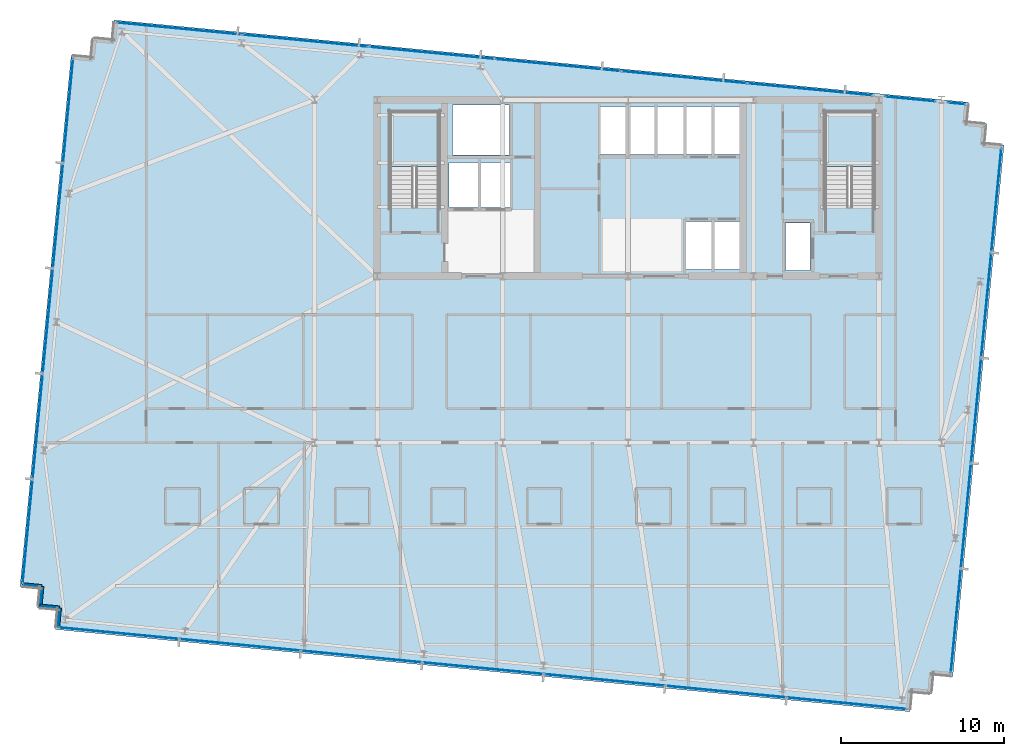
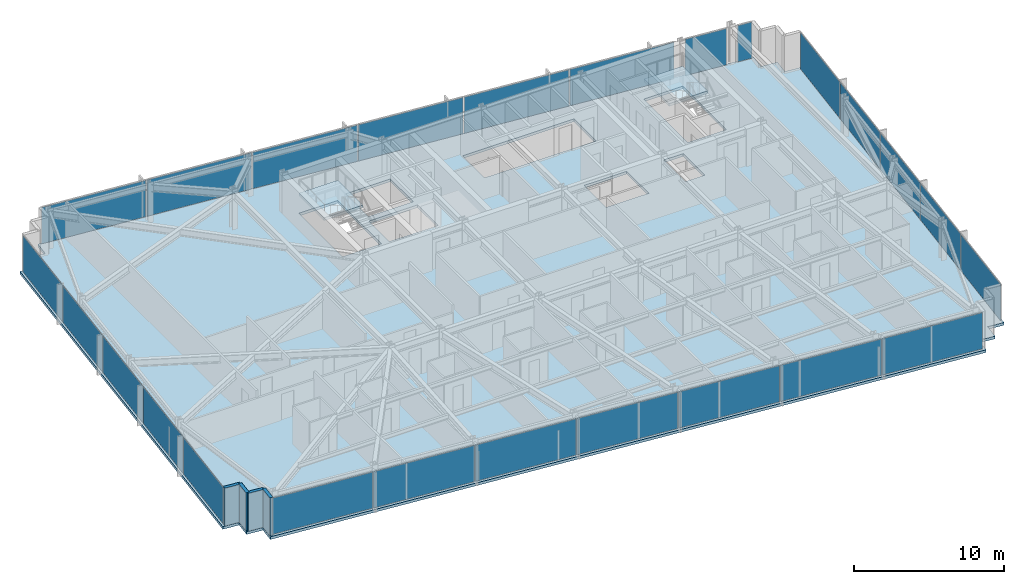
# One storey, part 28 of 38: 25 plates, 4 walls, 3 slabs, 8 elements without a shape of their own.
"""IFC4 building model written with IfcOpenShell, lengths in metres."""

from ifc_helpers import new_model, si_unit, direction, frame, frame_2d, origin, origin_2d, place, context, subcontext, project, spatial, polyline, rectangle, outline, extrude, material, layer, layer_set, type_object, element, aggregate, save


model = new_model("IFC4")

# Units and contexts
model_context = context("Model", 3, precision=1e-05, world=origin(), true_north=direction((0.0, 1.0)))
body_context = subcontext(model_context, "Body", "Model", "MODEL_VIEW")
ifc_project = project(units=[si_unit("LENGTHUNIT", "METRE"), si_unit("AREAUNIT", "SQUARE_METRE"), si_unit("VOLUMEUNIT", "CUBIC_METRE"), si_unit("PLANEANGLEUNIT", "RADIAN"), si_unit("MASSUNIT", "GRAM", prefix="KILO")], contexts=[model_context])

# Site, building, storey
site_placement = place(None, origin())
site = spatial("IfcSite", under=ifc_project, at=site_placement, CompositionType="ELEMENT")
building_placement = place(site_placement, origin())
building = spatial("IfcBuilding", under=site, at=building_placement, Name="Yelkora Congress Tower", CompositionType="ELEMENT")
storey_placement = place(building_placement, frame((0.0, 0.0, 155.60009765625)))
storey = spatial("IfcBuildingStorey", under=building, at=storey_placement, Name="L42", CompositionType="ELEMENT", Elevation=155.60009765625)

# Curtain wall, plates
ifc_material_1 = material(Name="Anodised aluminium and insulated glass", Category="aluminium")
curtain_wall_type = type_object("IfcCurtainWallType", Name="CW-SYS-B3", PredefinedType="NOTDEFINED", material=ifc_material_1)
curtain_wall_1_placement = place(storey_placement, origin())
curtain_wall_1 = element("IfcCurtainWall", 1, at=curtain_wall_1_placement, inside=storey, type_object=curtain_wall_type, Name="L42 Unitised Curtain Wall 5", PredefinedType="NOTDEFINED")
ifc_material_2 = material(Name="Acoustic laminated hotel glass unit B3", Category="glass")
ifc_layer_1 = layer(ifc_material_2, 0.0419921875)
ifc_layer_set_1 = layer_set([ifc_layer_1], Name="Acoustic laminated hotel glass unit B3")
plate_type = type_object("IfcPlateType", Name="PLT-PN-B3", PredefinedType="CURTAIN_PANEL", material=ifc_layer_set_1)
plate_1_placement = place(storey_placement, frame((1.61572265625, 19.75244140625, 0.059814453125), z_axis=(0.0, 0.0, 1.0), x_axis=(0.095845294465, 0.995396242473, 0.0)))
plate_1 = element("IfcPlate", 2, at=plate_1_placement, type_object=plate_type, Name="CW-B3 panel 1.1", PredefinedType="CURTAIN_PANEL", context=body_context, shape_type="SweptSolid", body=[
    extrude(rectangle(XDim=6.37890625, YDim=0.0419921875, at=origin_2d()), origin(), (0.0, 0.0, 1.0), 2.9599609375),
])
plate_2_placement = place(storey_placement, frame((2.235595703125, 26.189208984375, 0.059814453125), z_axis=(0.0, 0.0, 1.0), x_axis=(0.095845294465, 0.995396242473, 0.0)))
plate_2 = element("IfcPlate", 3, at=plate_2_placement, type_object=plate_type, Name="CW-B3 panel 2.1", PredefinedType="CURTAIN_PANEL", context=body_context, shape_type="SweptSolid", body=[
    extrude(rectangle(XDim=6.4140625, YDim=0.0419921875, at=origin_2d()), origin(), (0.0, 0.0, 1.0), 2.9599609375),
])
plate_3_placement = place(storey_placement, frame((2.85693359375, 32.643310546875, 0.059814453125), z_axis=(0.0, 0.0, 1.0), x_axis=(0.095845294465, 0.995396242473, 0.0)))
plate_3 = element("IfcPlate", 4, at=plate_3_placement, type_object=plate_type, Name="CW-B3 panel 3.1", PredefinedType="CURTAIN_PANEL", context=body_context, shape_type="SweptSolid", body=[
    extrude(rectangle(XDim=6.4140625, YDim=0.0419921875, at=origin_2d()), origin(), (0.0, 0.0, 1.0), 2.9599609375),
])
plate_4_placement = place(storey_placement, frame((3.478515625, 39.097412109375, 0.059814453125), z_axis=(0.0, 0.0, 1.0), x_axis=(0.095845294465, 0.995396242473, 0.0)))
plate_4 = element("IfcPlate", 5, at=plate_4_placement, type_object=plate_type, Name="CW-B3 panel 4.1", PredefinedType="CURTAIN_PANEL", context=body_context, shape_type="SweptSolid", body=[
    extrude(rectangle(XDim=6.4140625, YDim=0.0419921875, at=origin_2d()), origin(), (0.0, 0.0, 1.0), 2.9599609375),
])
plate_5_placement = place(storey_placement, frame((4.09814453125, 45.5341796875, 0.059814453125), z_axis=(0.0, 0.0, 1.0), x_axis=(0.095845294465, 0.995396242473, 0.0)))
plate_5 = element("IfcPlate", 6, at=plate_5_placement, type_object=plate_type, Name="CW-B3 panel 5.1", PredefinedType="CURTAIN_PANEL", context=body_context, shape_type="SweptSolid", body=[
    extrude(rectangle(XDim=6.37890625, YDim=0.0419921875, at=origin_2d()), origin(), (0.0, 0.0, 1.0), 2.9599609375),
])
aggregate(curtain_wall_1, [plate_1, plate_2, plate_3, plate_4, plate_5])

curtain_wall_2_placement = place(storey_placement, origin())
curtain_wall_2 = element("IfcCurtainWall", 7, at=curtain_wall_2_placement, inside=storey, type_object=curtain_wall_type, Name="L42 Unitised Curtain Wall 10 (1)", PredefinedType="NOTDEFINED")
plate_6_placement = place(storey_placement, frame((10.913818359375, 50.5634765625, 0.059814453125), z_axis=(0.0, 0.0, 1.0), x_axis=(0.995396293823, -0.095844761168, 0.0)))
plate_6 = element("IfcPlate", 8, at=plate_6_placement, type_object=plate_type, Name="CW-B3 panel 1.1", PredefinedType="CURTAIN_PANEL", context=body_context, shape_type="SweptSolid", body=[
    extrude(rectangle(XDim=7.664306640625, YDim=0.0419921875, at=origin_2d()), origin(), (0.0, 0.0, 1.0), 2.9599609375),
])
plate_7_placement = place(storey_placement, frame((18.6298828125, 49.820556640625, 0.059814453125), z_axis=(0.0, 0.0, 1.0), x_axis=(0.995396293823, -0.095844761168, 0.0)))
plate_7 = element("IfcPlate", 9, at=plate_7_placement, type_object=plate_type, Name="CW-B3 panel 2.1", PredefinedType="CURTAIN_PANEL", context=body_context, shape_type="SweptSolid", body=[
    extrude(rectangle(XDim=7.69921875, YDim=0.0419921875, at=origin_2d()), origin(), (0.0, 0.0, 1.0), 2.9599609375),
])
plate_8_placement = place(storey_placement, frame((26.363525390625, 49.075927734375, 0.059814453125), z_axis=(0.0, 0.0, 1.0), x_axis=(0.995396293823, -0.095844761168, 0.0)))
plate_8 = element("IfcPlate", 10, at=plate_8_placement, type_object=plate_type, Name="CW-B3 panel 3.1", PredefinedType="CURTAIN_PANEL", context=body_context, shape_type="SweptSolid", body=[
    extrude(rectangle(XDim=7.69921875, YDim=0.0419921875, at=origin_2d()), origin(), (0.0, 0.0, 1.0), 2.9599609375),
])
plate_9_placement = place(storey_placement, frame((34.09716796875, 48.331298828125, 0.059814453125), z_axis=(0.0, 0.0, 1.0), x_axis=(0.995396293823, -0.095844761168, 0.0)))
plate_9 = element("IfcPlate", 11, at=plate_9_placement, type_object=plate_type, Name="CW-B3 panel 4.1", PredefinedType="CURTAIN_PANEL", context=body_context, shape_type="SweptSolid", body=[
    extrude(rectangle(XDim=7.69921875, YDim=0.0419921875, at=origin_2d()), origin(), (0.0, 0.0, 1.0), 2.9599609375),
])
plate_10_placement = place(storey_placement, frame((41.83056640625, 47.586669921875, 0.059814453125), z_axis=(0.0, 0.0, 1.0), x_axis=(0.995396293823, -0.095844761168, 0.0)))
plate_10 = element("IfcPlate", 12, at=plate_10_placement, type_object=plate_type, Name="CW-B3 panel 5.1", PredefinedType="CURTAIN_PANEL", context=body_context, shape_type="SweptSolid", body=[
    extrude(rectangle(XDim=7.69921875, YDim=0.0419921875, at=origin_2d()), origin(), (0.0, 0.0, 1.0), 2.9599609375),
])
plate_11_placement = place(storey_placement, frame((49.546875, 46.84375, 0.059814453125), z_axis=(0.0, 0.0, 1.0), x_axis=(0.995396293823, -0.095844761168, 0.0)))
plate_11 = element("IfcPlate", 13, at=plate_11_placement, type_object=plate_type, Name="CW-B3 panel 6.1", PredefinedType="CURTAIN_PANEL", context=body_context, shape_type="SweptSolid", body=[
    extrude(rectangle(XDim=7.664306640625, YDim=0.0419921875, at=origin_2d()), origin(), (0.0, 0.0, 1.0), 2.9599609375),
])
aggregate(curtain_wall_2, [plate_6, plate_7, plate_8, plate_9, plate_10, plate_11])

# Curtain wall, plate
curtain_wall_3_placement = place(storey_placement, origin())
curtain_wall_3 = element("IfcCurtainWall", 14, at=curtain_wall_3_placement, inside=storey, type_object=curtain_wall_type, Name="L42 Unitised Curtain Wall 10 (2)", PredefinedType="NOTDEFINED")
plate_12_placement = place(storey_placement, frame((55.679931640625, 46.253173828125, 0.059814453125), z_axis=(0.0, 0.0, 1.0), x_axis=(0.995395952188, -0.095848309157, 0.0)))
plate_12 = element("IfcPlate", 15, at=plate_12_placement, type_object=plate_type, Name="CW-B3 panel 1.1", PredefinedType="CURTAIN_PANEL", context=body_context, shape_type="SweptSolid", body=[
    extrude(rectangle(XDim=3.056640625, YDim=0.0419921875, at=origin_2d()), origin(), (0.0, 0.0, 1.0), 2.9599609375),
])
aggregate(curtain_wall_3, [plate_12])

curtain_wall_4_placement = place(storey_placement, origin())
curtain_wall_4 = element("IfcCurtainWall", 16, at=curtain_wall_4_placement, inside=storey, type_object=curtain_wall_type, Name="L42 Unitised Curtain Wall 10 (3)", PredefinedType="NOTDEFINED")
plate_13_placement = place(storey_placement, frame((58.518798828125, 45.979736328125, 0.059814453125), z_axis=(0.0, 0.0, 1.0), x_axis=(0.995395569658, -0.095852281686, 0.0)))
plate_13 = element("IfcPlate", 17, at=plate_13_placement, type_object=plate_type, Name="CW-B3 panel 1.1", PredefinedType="CURTAIN_PANEL", context=body_context, shape_type="SweptSolid", body=[
    extrude(rectangle(XDim=1.045166015625, YDim=0.0419921875, at=origin_2d()), origin(), (0.0, 0.0, 1.0), 2.9599609375),
])
aggregate(curtain_wall_4, [plate_13])

# Curtain wall, plates
curtain_wall_5_placement = place(storey_placement, origin())
curtain_wall_5 = element("IfcCurtainWall", 18, at=curtain_wall_5_placement, inside=storey, type_object=curtain_wall_type, Name="L42 Unitised Curtain Wall 15", PredefinedType="NOTDEFINED")
plate_14_placement = place(storey_placement, frame((60.955322265625, 40.0595703125, 0.059814453125), z_axis=(0.0, 0.0, 1.0), x_axis=(-0.095841944023, -0.995396565076, 0.0)))
plate_14 = element("IfcPlate", 19, at=plate_14_placement, type_object=plate_type, Name="CW-B3 panel 1.1", PredefinedType="CURTAIN_PANEL", context=body_context, shape_type="SweptSolid", body=[
    extrude(rectangle(XDim=6.37890625, YDim=0.0419921875, at=origin_2d()), origin(), (0.0, 0.0, 1.0), 2.9599609375),
])
plate_15_placement = place(storey_placement, frame((60.33544921875, 33.622802734375, 0.059814453125), z_axis=(0.0, 0.0, 1.0), x_axis=(-0.095841944023, -0.995396565076, 0.0)))
plate_15 = element("IfcPlate", 20, at=plate_15_placement, type_object=plate_type, Name="CW-B3 panel 2.1", PredefinedType="CURTAIN_PANEL", context=body_context, shape_type="SweptSolid", body=[
    extrude(rectangle(XDim=6.4140625, YDim=0.0419921875, at=origin_2d()), origin(), (0.0, 0.0, 1.0), 2.9599609375),
])
plate_16_placement = place(storey_placement, frame((59.714111328125, 27.168701171875, 0.059814453125), z_axis=(0.0, 0.0, 1.0), x_axis=(-0.095841944023, -0.995396565076, 0.0)))
plate_16 = element("IfcPlate", 21, at=plate_16_placement, type_object=plate_type, Name="CW-B3 panel 3.1", PredefinedType="CURTAIN_PANEL", context=body_context, shape_type="SweptSolid", body=[
    extrude(rectangle(XDim=6.4140625, YDim=0.0419921875, at=origin_2d()), origin(), (0.0, 0.0, 1.0), 2.9599609375),
])
plate_17_placement = place(storey_placement, frame((59.092529296875, 20.71435546875, 0.059814453125), z_axis=(0.0, 0.0, 1.0), x_axis=(-0.095841944023, -0.995396565076, 0.0)))
plate_17 = element("IfcPlate", 22, at=plate_17_placement, type_object=plate_type, Name="CW-B3 panel 4.1", PredefinedType="CURTAIN_PANEL", context=body_context, shape_type="SweptSolid", body=[
    extrude(rectangle(XDim=6.4140625, YDim=0.0419921875, at=origin_2d()), origin(), (0.0, 0.0, 1.0), 2.9599609375),
])
plate_18_placement = place(storey_placement, frame((58.472900390625, 14.277587890625, 0.059814453125), z_axis=(0.0, 0.0, 1.0), x_axis=(-0.095841944023, -0.995396565076, 0.0)))
plate_18 = element("IfcPlate", 23, at=plate_18_placement, type_object=plate_type, Name="CW-B3 panel 5.1", PredefinedType="CURTAIN_PANEL", context=body_context, shape_type="SweptSolid", body=[
    extrude(rectangle(XDim=6.37890625, YDim=0.0419921875, at=origin_2d()), origin(), (0.0, 0.0, 1.0), 2.9599609375),
])
aggregate(curtain_wall_5, [plate_14, plate_15, plate_16, plate_17, plate_18])

curtain_wall_6_placement = place(storey_placement, origin())
curtain_wall_6 = element("IfcCurtainWall", 24, at=curtain_wall_6_placement, inside=storey, type_object=curtain_wall_type, Name="L42 Unitised Curtain Wall 20", PredefinedType="NOTDEFINED")
plate_19_placement = place(storey_placement, frame((51.803955078125, 9.234130859375, 0.059814453125), z_axis=(0.0, 0.0, 1.0), x_axis=(-0.995396301573, 0.095844680679, 0.0)))
plate_19 = element("IfcPlate", 25, at=plate_19_placement, type_object=plate_type, Name="CW-B3 panel 1.1", PredefinedType="CURTAIN_PANEL", context=body_context, shape_type="SweptSolid", body=[
    extrude(rectangle(XDim=7.369384765625, YDim=0.0419921875, at=origin_2d()), origin(), (0.0, 0.0, 1.0), 2.9599609375),
])
plate_20_placement = place(storey_placement, frame((44.381591796875, 9.948974609375, 0.059814453125), z_axis=(0.0, 0.0, 1.0), x_axis=(-0.995396301573, 0.095844680679, 0.0)))
plate_20 = element("IfcPlate", 26, at=plate_20_placement, type_object=plate_type, Name="CW-B3 panel 2.1", PredefinedType="CURTAIN_PANEL", context=body_context, shape_type="SweptSolid", body=[
    extrude(rectangle(XDim=7.404296875, YDim=0.0419921875, at=origin_2d()), origin(), (0.0, 0.0, 1.0), 2.9599609375),
])
plate_21_placement = place(storey_placement, frame((36.941650390625, 10.665283203125, 0.059814453125), z_axis=(0.0, 0.0, 1.0), x_axis=(-0.995396301573, 0.095844680679, 0.0)))
plate_21 = element("IfcPlate", 27, at=plate_21_placement, type_object=plate_type, Name="CW-B3 panel 3.1", PredefinedType="CURTAIN_PANEL", context=body_context, shape_type="SweptSolid", body=[
    extrude(rectangle(XDim=7.404296875, YDim=0.0419921875, at=origin_2d()), origin(), (0.0, 0.0, 1.0), 2.9599609375),
])
plate_22_placement = place(storey_placement, frame((29.501708984375, 11.381591796875, 0.059814453125), z_axis=(0.0, 0.0, 1.0), x_axis=(-0.995396301573, 0.095844680679, 0.0)))
plate_22 = element("IfcPlate", 28, at=plate_22_placement, type_object=plate_type, Name="CW-B3 panel 4.1", PredefinedType="CURTAIN_PANEL", context=body_context, shape_type="SweptSolid", body=[
    extrude(rectangle(XDim=7.404296875, YDim=0.0419921875, at=origin_2d()), origin(), (0.0, 0.0, 1.0), 2.9599609375),
])
plate_23_placement = place(storey_placement, frame((22.06201171875, 12.097900390625, 0.059814453125), z_axis=(0.0, 0.0, 1.0), x_axis=(-0.995396301573, 0.095844680679, 0.0)))
plate_23 = element("IfcPlate", 29, at=plate_23_placement, type_object=plate_type, Name="CW-B3 panel 5.1", PredefinedType="CURTAIN_PANEL", context=body_context, shape_type="SweptSolid", body=[
    extrude(rectangle(XDim=7.404296875, YDim=0.0419921875, at=origin_2d()), origin(), (0.0, 0.0, 1.0), 2.9599609375),
])
plate_24_placement = place(storey_placement, frame((14.6220703125, 12.814453125, 0.059814453125), z_axis=(0.0, 0.0, 1.0), x_axis=(-0.995396301573, 0.095844680679, 0.0)))
plate_24 = element("IfcPlate", 30, at=plate_24_placement, type_object=plate_type, Name="CW-B3 panel 6.1", PredefinedType="CURTAIN_PANEL", context=body_context, shape_type="SweptSolid", body=[
    extrude(rectangle(XDim=7.404296875, YDim=0.0419921875, at=origin_2d()), origin(), (0.0, 0.0, 1.0), 2.9599609375),
])
plate_25_placement = place(storey_placement, frame((7.199462890625, 13.529052734375, 0.059814453125), z_axis=(0.0, 0.0, 1.0), x_axis=(-0.995396301573, 0.095844680679, 0.0)))
plate_25 = element("IfcPlate", 31, at=plate_25_placement, type_object=plate_type, Name="CW-B3 panel 7.1", PredefinedType="CURTAIN_PANEL", context=body_context, shape_type="SweptSolid", body=[
    extrude(rectangle(XDim=7.369384765625, YDim=0.0419921875, at=origin_2d()), origin(), (0.0, 0.0, 1.0), 2.9599609375),
])
aggregate(curtain_wall_6, [plate_19, plate_20, plate_21, plate_22, plate_23, plate_24, plate_25])

# Stair, slab
ifc_material_3 = material(Name="Concrete C40/50", Category="concrete")
stair_type = type_object("IfcStairType", Name="STAIR-HT-1420-R20-165", PredefinedType="HALF_TURN_STAIR", material=ifc_material_3)
stair_1_placement = place(storey_placement, origin())
stair_1 = element("IfcStair", 32, at=stair_1_placement, inside=storey, type_object=stair_type, Name="West Core Protected Exit Stair ST-01 (L42)", PredefinedType="HALF_TURN_STAIR")
ifc_layer_2 = layer(ifc_material_3, 0.219970703125)
ifc_layer_set_2 = layer_set([ifc_layer_2], Name="Concrete C40/50")
slab_type_1 = type_object("IfcSlabType", Name="SLAB-LANDING-220", PredefinedType="LANDING", material=ifc_layer_set_2)
slab_1_placement = place(storey_placement, frame((0.0, 0.0, 1.429931640625)))
slab_1 = element("IfcSlab", 33, at=slab_1_placement, type_object=slab_type_1, Name="ST-01 L42 Half Landing 1", PredefinedType="LANDING", context=body_context, shape_type="SweptSolid", body=[
    extrude(outline(polyline([(26.820068359375, 42.1201171875), (26.820068359375, 45.469970703125), (23.820068359375, 45.469970703125), (23.820068359375, 42.1201171875), (26.820068359375, 42.1201171875)])), origin(), (0.0, 0.0, 1.0), 0.219970703125),
])
aggregate(stair_1, [slab_1])

stair_2_placement = place(storey_placement, origin())
stair_2 = element("IfcStair", 34, at=stair_2_placement, inside=storey, type_object=stair_type, Name="East Core Protected Exit Stair ST-02 (L42)", PredefinedType="HALF_TURN_STAIR")
slab_2_placement = place(storey_placement, frame((0.0, 0.0, 1.429931640625)))
slab_2 = element("IfcSlab", 35, at=slab_2_placement, type_object=slab_type_1, Name="ST-02 L42 Half Landing 1", PredefinedType="LANDING", context=body_context, shape_type="SweptSolid", body=[
    extrude(outline(polyline([(53.4599609375, 42.1201171875), (53.4599609375, 45.469970703125), (50.4599609375, 45.469970703125), (50.4599609375, 42.1201171875), (53.4599609375, 42.1201171875)])), origin(), (0.0, 0.0, 1.0), 0.219970703125),
])
aggregate(stair_2, [slab_2])

# Slab
ifc_layer_3 = layer(ifc_material_3, 0.219970703125)
ifc_layer_set_3 = layer_set([ifc_layer_3], Name="Concrete C40/50")
slab_type_2 = type_object("IfcSlabType", Name="SLAB-TWR-220", PredefinedType="FLOOR", material=ifc_layer_set_3)
slab_3_placement = place(storey_placement, frame((0.0, 0.0, -0.22021484375)))
element("IfcSlab", 36, at=slab_3_placement, inside=storey, type_object=slab_type_2, Name="L42 Structural Floor Slab", PredefinedType="FLOOR", context=body_context, shape_type="SweptSolid", body=[
    extrude(outline(polyline([(3.309326171875, 13.762939453125), (55.667236328125, 8.721435546875), (55.7822265625, 9.916015625), (56.976806640625, 9.801025390625), (57.091796875, 10.99560546875), (58.286376953125, 10.88037109375), (61.42041015625, 43.429931640625), (60.225830078125, 43.544921875), (60.341064453125, 44.739501953125), (59.146484375, 44.8544921875), (59.261474609375, 46.048828125), (6.90380859375, 51.09033203125), (6.78857421875, 49.89599609375), (5.59423828125, 50.010986328125), (5.479248046875, 48.81640625), (4.28466796875, 48.931396484375), (1.150390625, 16.382080078125), (2.344970703125, 16.26708984375), (2.22998046875, 15.072509765625), (3.424560546875, 14.95751953125), (3.309326171875, 13.762939453125)]), holes=[polyline([(23.820068359375, 39.6298828125), (26.820068359375, 39.6298828125), (26.820068359375, 45.469970703125), (23.820068359375, 45.469970703125), (23.820068359375, 39.6298828125)]), polyline([(50.4599609375, 39.6298828125), (53.4599609375, 39.6298828125), (53.4599609375, 45.469970703125), (50.4599609375, 45.469970703125), (50.4599609375, 39.6298828125)]), polyline([(48.050048828125, 35.75), (49.550048828125, 35.75), (49.550048828125, 38.64990234375), (48.050048828125, 38.64990234375), (48.050048828125, 35.75)]), polyline([(36.64990234375, 42.85009765625), (45.25, 42.85009765625), (45.25, 45.800048828125), (36.64990234375, 45.800048828125), (36.64990234375, 42.85009765625)]), polyline([(41.949951171875, 35.800048828125), (45.25, 35.800048828125), (45.25, 38.75), (41.949951171875, 38.75), (41.949951171875, 35.800048828125)]), polyline([(27.419921875, 39.60009765625), (31.179931640625, 39.60009765625), (31.179931640625, 42.35009765625), (27.419921875, 42.35009765625), (27.419921875, 39.60009765625)]), polyline([(27.64990234375, 42.820068359375), (31.1201171875, 42.820068359375), (31.1201171875, 45.8798828125), (27.64990234375, 45.8798828125), (27.64990234375, 42.820068359375)])]), origin(), (0.0, 0.0, 1.0), 0.22021484375),
])

# Walls
ifc_layer_4 = layer(ifc_material_3, 0.239990234375)
ifc_layer_set_4 = layer_set([ifc_layer_4], Name="Concrete C40/50")
wall_type = type_object("IfcWallType", Name="WALL-EXT-LIMESTONE-240", PredefinedType="SOLIDWALL", material=ifc_layer_set_4)
for number, where, z_axis, x_axis, name in (
    (37, (3.462158203125, 13.888916015625, 0.0), (0.0, 0.0, 1.0), (0.096018626938, 0.995379537303, 0.0), "L42 Serrated Corner Limestone Pier 1"),
    (38, (3.577392578125, 15.08349609375, 0.0), (0.0, 0.0, 1.0), (-0.995398960025, 0.095817067274, 0.0), "L42 Serrated Corner Limestone Pier 2"),
):
    element("IfcWall", number, at=place(storey_placement, frame(where, z_axis=z_axis, x_axis=x_axis)), inside=storey, type_object=wall_type, Name=name, PredefinedType="SOLIDWALL", context=body_context, shape_type="SweptSolid", body=[
        extrude(rectangle(XDim=1.2001953125, YDim=0.239990234375, at=frame_2d((0.60009765625, 0.0))), origin(), (0.0, 0.0, 1.0), 3.079833984375),
    ])
wall_1_placement = place(storey_placement, frame((2.3828125, 15.198486328125, 0.0), z_axis=(0.0, 0.0, 1.0), x_axis=(0.095836473879, 0.995397091755, 0.0)))
element("IfcWall", 39, at=wall_1_placement, inside=storey, type_object=wall_type, Name="L42 Serrated Corner Limestone Pier 3", PredefinedType="SOLIDWALL", context=body_context, shape_type="SweptSolid", body=[
    extrude(rectangle(XDim=1.199951171875, YDim=0.239990234375, at=frame_2d((0.60009765625, 0.0))), origin(), (0.0, 0.0, 1.0), 3.079833984375),
])
wall_2_placement = place(storey_placement, frame((2.497802734375, 16.392822265625, 0.0), z_axis=(0.0, 0.0, 1.0), x_axis=(-0.995398960025, 0.095817067274, 0.0)))
element("IfcWall", 40, at=wall_2_placement, inside=storey, type_object=wall_type, Name="L42 Serrated Corner Limestone Pier 4", PredefinedType="SOLIDWALL", context=body_context, shape_type="SweptSolid", body=[
    extrude(rectangle(XDim=1.2001953125, YDim=0.239990234375, at=frame_2d((0.60009765625, 0.0))), origin(), (0.0, 0.0, 1.0), 3.079833984375),
])

save(model, "model.ifc")
